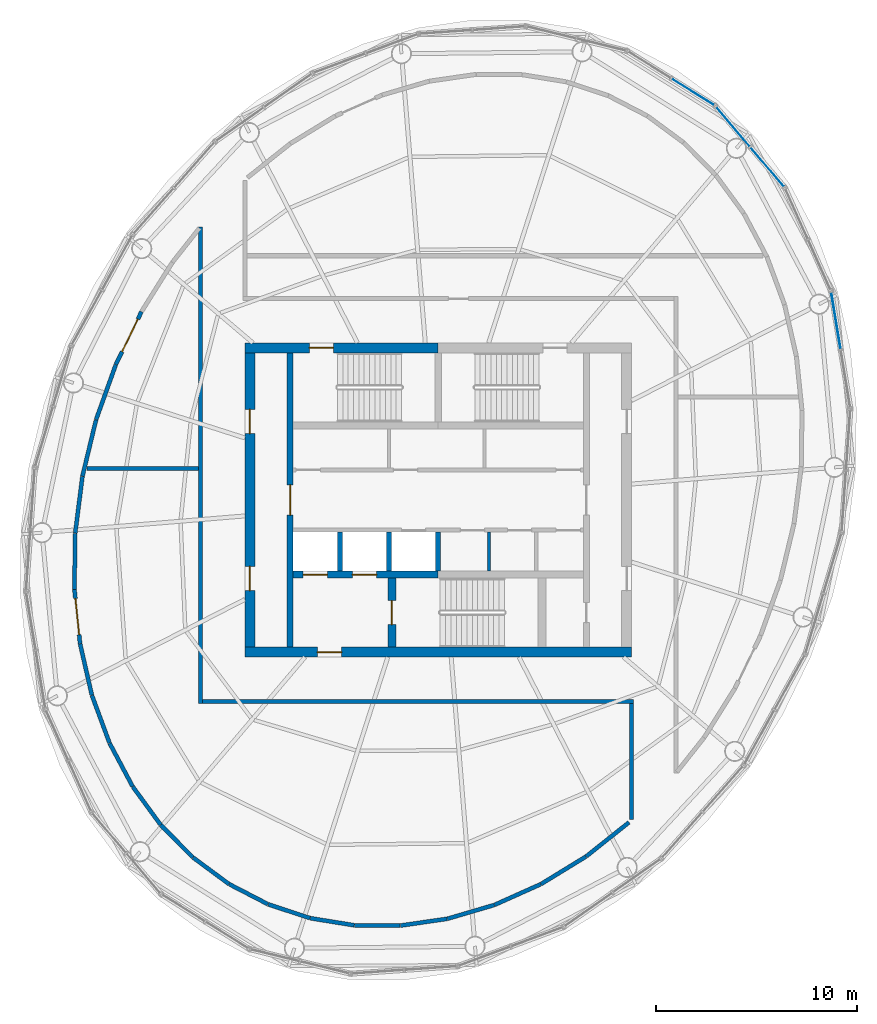
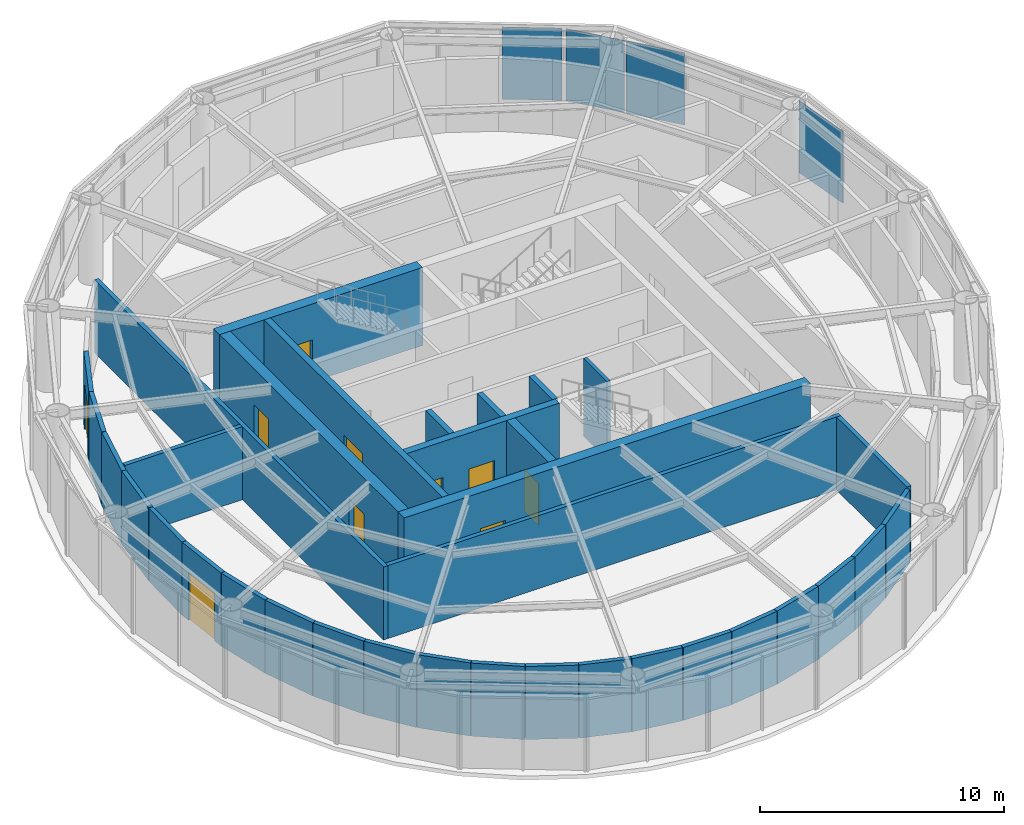
# One storey, part 8 of 11: 35 walls, 10 doors, 4 plates, 10 openings, 3 elements without a shape of their own.
"""IFC4 building model written with IfcOpenShell, lengths in metres."""

from ifc_helpers import new_model, si_unit, direction, frame, frame_2d, origin, origin_2d, place, context, subcontext, project, spatial, rectangle, extrude, material, layer, layer_set, type_object, element, fill, aggregate, save


model = new_model("IFC4")

# Units and contexts
model_context = context("Model", 3, precision=1e-05, world=origin(), true_north=direction((0.0, 1.0)))
body_context = subcontext(model_context, "Body", "Model", "MODEL_VIEW")
ifc_project = project(units=[si_unit("LENGTHUNIT", "METRE"), si_unit("AREAUNIT", "SQUARE_METRE"), si_unit("VOLUMEUNIT", "CUBIC_METRE"), si_unit("PLANEANGLEUNIT", "RADIAN"), si_unit("MASSUNIT", "GRAM", prefix="KILO")], contexts=[model_context])

# Site, building, storey
site_placement = place(None, origin())
site = spatial("IfcSite", under=ifc_project, at=site_placement, CompositionType="ELEMENT")
building_placement = place(site_placement, origin())
building = spatial("IfcBuilding", under=site, at=building_placement, Name="Vermilion Reach Broadcast Tower", CompositionType="ELEMENT")
storey_placement = place(building_placement, frame((0.0, 0.0, 321.300048828125)))
storey = spatial("IfcBuildingStorey", under=building, at=storey_placement, Name="L80 CROWN", CompositionType="ELEMENT", Elevation=321.300048828125)

# Curtain wall, plate
ifc_material_1 = material(Name="Low-e laminated clear glass in aluminium frame", Category="aluminium")
curtain_wall_type = type_object("IfcCurtainWallType", Name="Crown glazing curtain wall", PredefinedType="NOTDEFINED", material=ifc_material_1)
placement = place(storey_placement, origin())
curtain_wall_1 = element("IfcCurtainWall", 1, at=placement, inside=storey, type_object=curtain_wall_type, Name="Crown glazing L80 CROWN 21", PredefinedType="NOTDEFINED")
ifc_material_2 = material(Name="Low-e laminated clear glass", Category="glass")
ifc_layer_1 = layer(ifc_material_2, 0.031982421875)
ifc_layer_set_1 = layer_set([ifc_layer_1], Name="Crown glazing glass panel")
plate_type = type_object("IfcPlateType", Name="Crown glazing glass panel", PredefinedType="CURTAIN_PANEL", material=ifc_layer_set_1)
plate_1_placement = place(storey_placement, frame((13.740234375, 8.896240234375, 0.0), z_axis=(0.0, 0.0, 1.0), x_axis=(-0.162618011697, 0.986689101121, 0.0)))
plate_1 = element("IfcPlate", 2, at=plate_1_placement, type_object=plate_type, Name="Crown glazing glass panel L80 CROWN 21.2.1", PredefinedType="CURTAIN_PANEL", context=body_context, shape_type="SweptSolid", body=[
    extrude(rectangle(XDim=2.837890625, YDim=0.031982421875, at=origin_2d()), origin(), (0.0, 0.0, 1.0), 3.60009765625),
])
aggregate(curtain_wall_1, [plate_1])

# Curtain wall, plates
curtain_wall_2 = element("IfcCurtainWall", 3, at=placement, inside=storey, type_object=curtain_wall_type, Name="Crown glazing L80 CROWN 23", PredefinedType="NOTDEFINED")
plate_2_placement = place(storey_placement, frame((10.330810546875, 16.528564453125, 0.0), z_axis=(0.0, 0.0, 1.0), x_axis=(-0.647871252038, 0.761749854468, 0.0)))
plate_2 = element("IfcPlate", 4, at=plate_2_placement, type_object=plate_type, Name="Crown glazing glass panel L80 CROWN 23.1.1", PredefinedType="CURTAIN_PANEL", context=body_context, shape_type="SweptSolid", body=[
    extrude(rectangle(XDim=2.546142578125, YDim=0.031982421875, at=origin_2d()), origin(), (0.0, 0.0, 1.0), 3.60009765625),
])
plate_3_placement = place(storey_placement, frame((8.62939453125, 18.52880859375, 0.0), z_axis=(0.0, 0.0, 1.0), x_axis=(-0.647871252038, 0.761749854468, 0.0)))
plate_3 = element("IfcPlate", 5, at=plate_3_placement, type_object=plate_type, Name="Crown glazing glass panel L80 CROWN 23.2.1", PredefinedType="CURTAIN_PANEL", context=body_context, shape_type="SweptSolid", body=[
    extrude(rectangle(XDim=2.546142578125, YDim=0.031982421875, at=origin_2d()), origin(), (0.0, 0.0, 1.0), 3.60009765625),
])
aggregate(curtain_wall_2, [plate_2, plate_3])

# Curtain wall, plate
curtain_wall_3 = element("IfcCurtainWall", 6, at=placement, inside=storey, type_object=curtain_wall_type, Name="Crown glazing L80 CROWN 24", PredefinedType="NOTDEFINED")
plate_4_placement = place(storey_placement, frame((6.64013671875, 20.2529296875, 0.0), z_axis=(0.0, 0.0, 1.0), x_axis=(-0.848708437827, 0.52886102859, 0.0)))
plate_4 = element("IfcPlate", 7, at=plate_4_placement, type_object=plate_type, Name="Crown glazing glass panel L80 CROWN 24.1.1", PredefinedType="CURTAIN_PANEL", context=body_context, shape_type="SweptSolid", body=[
    extrude(rectangle(XDim=2.462158203125, YDim=0.031982421875, at=origin_2d()), origin(), (0.0, 0.0, 1.0), 3.60009765625),
])
aggregate(curtain_wall_3, [plate_4])

# Wall, opening, door
ifc_material_3 = material(Name="Concrete C50", Category="concrete")
ifc_layer_2 = layer(ifc_material_3, 0.300048828125)
ifc_layer_set_2 = layer_set([ifc_layer_2], Name="Core inner wall 300 mm Concrete C50")
wall_type_1 = type_object("IfcWallType", Name="Core inner wall 300 mm Concrete C50", PredefinedType="SHEAR", material=ifc_layer_set_2)
wall_1_placement = place(storey_placement, frame((-13.35009765625, 7.300048828125, 0.0), z_axis=(0.0, 0.0, 1.0), x_axis=(0.0, -1.0, 0.0)))
wall_1 = element("IfcWall", 8, at=wall_1_placement, inside=storey, type_object=wall_type_1, Name="L80 CROWN core wall ewW", PredefinedType="SHEAR", context=body_context, shape_type="SweptSolid", body=[
    extrude(rectangle(XDim=14.60009765625, YDim=0.300048828125, at=frame_2d((7.300048828125, 0.0))), origin(), (0.0, 0.0, 1.0), 3.89990234375),
])
opening_1_placement = place(wall_1_placement, frame((6.550048828125, 0.0, 0.0)))
opening_1 = element("IfcOpeningElement", 9, at=opening_1_placement, cuts=wall_1, Name="Opening D04", PredefinedType="OPENING", context=body_context, shape_type="SweptSolid", body=[
    extrude(rectangle(XDim=1.5, YDim=2.10009765625, at=frame_2d((0.75, 1.050048828125))), frame((0.0, 0.159912109375, 0.0), z_axis=(0.0, -1.0, 0.0), x_axis=(1.0, 0.0, 0.0)), (0.0, 0.0, 1.0), 0.320068359375),
])
ifc_material_4 = material(Name="Painted steel fire door", Category="steel")
door_type_1 = type_object("IfcDoorType", Name="Lift lobby door 1500 x 2100", OperationType="DOUBLE_DOOR_SINGLE_SWING", PredefinedType="NOTDEFINED", material=ifc_material_4)
door_1_placement = place(opening_1_placement, origin())
door_1 = element("IfcDoor", 10, at=door_1_placement, inside=storey, type_object=door_type_1, Name="L80 CROWN band door BW", OperationType="DOUBLE_DOOR_SINGLE_SWING", OverallHeight=2.10009765625, OverallWidth=1.5, PredefinedType="NOTDEFINED", context=body_context, shape_type="SweptSolid", body=[
    extrude(rectangle(XDim=1.5, YDim=2.10009765625, at=frame_2d((0.75, 1.050048828125))), frame((0.0, 0.02490234375, 0.0), z_axis=(0.0, -1.0, 0.0), x_axis=(1.0, 0.0, 0.0)), (0.0, 0.0, 1.0), 0.050048828125),
])
fill(opening_1, door_1)

# Wall, openings, doors
ifc_material_5 = material(Name="Concrete C50", Category="concrete")
ifc_layer_3 = layer(ifc_material_5, 0.35009765625)
ifc_layer_set_3 = layer_set([ifc_layer_3], Name="Core inner wall 350 mm Concrete C50")
wall_type_2 = type_object("IfcWallType", Name="Core inner wall 350 mm Concrete C50", PredefinedType="SHEAR", material=ifc_layer_set_3)
wall_2_placement = place(storey_placement, frame((-13.199951171875, -3.705078125, 0.0), z_axis=(0.0, 0.0, 1.0), x_axis=(1.0, 0.0, 0.0)))
wall_2 = element("IfcWall", 11, at=wall_2_placement, inside=storey, type_object=wall_type_2, Name="L80 CROWN core wall wisW", PredefinedType="SHEAR", context=body_context, shape_type="SweptSolid", body=[
    extrude(rectangle(XDim=7.199951171875, YDim=0.35009765625, at=frame_2d((3.60009765625, 0.0))), origin(), (0.0, 0.0, 1.0), 3.89990234375),
])
opening_2_placement = place(wall_2_placement, frame((0.495849609375, 0.0, 0.0)))
opening_2 = element("IfcOpeningElement", 12, at=opening_2_placement, cuts=wall_2, Name="Opening LD1", PredefinedType="OPENING", context=body_context, shape_type="SweptSolid", body=[
    extrude(rectangle(XDim=1.199951171875, YDim=2.10009765625, at=frame_2d((0.60009765625, 1.050048828125))), frame((0.0, 0.18505859375, 0.0), z_axis=(0.0, -1.0, 0.0), x_axis=(1.0, 0.0, 0.0)), (0.0, 0.0, 1.0), 0.3701171875),
])
opening_3_placement = place(wall_2_placement, frame((2.9375, 0.0, 0.0)))
opening_3 = element("IfcOpeningElement", 13, at=opening_3_placement, cuts=wall_2, Name="Opening LD1", PredefinedType="OPENING", context=body_context, shape_type="SweptSolid", body=[
    extrude(rectangle(XDim=1.199951171875, YDim=2.10009765625, at=frame_2d((0.60009765625, 1.050048828125))), frame((0.0, 0.18505859375, 0.0), z_axis=(0.0, -1.0, 0.0), x_axis=(1.0, 0.0, 0.0)), (0.0, 0.0, 1.0), 0.3701171875),
])
ifc_material_6 = material(Name="Stainless steel", Category="steel")
door_type_2 = type_object("IfcDoorType", Name="Landing door 1200 x 2100", OperationType="DOUBLE_DOOR_SLIDING", PredefinedType="NOTDEFINED", material=ifc_material_6)
door_2_placement = place(opening_2_placement, origin())
door_2 = element("IfcDoor", 14, at=door_2_placement, inside=storey, type_object=door_type_2, Name="L80 CROWN landing door FF1", OperationType="DOUBLE_DOOR_SLIDING", OverallHeight=2.10009765625, OverallWidth=1.199951171875, PredefinedType="NOTDEFINED", context=body_context, shape_type="SweptSolid", body=[
    extrude(rectangle(XDim=1.199951171875, YDim=2.10009765625, at=frame_2d((0.60009765625, 1.050048828125))), frame((0.0, 0.02490234375, 0.0), z_axis=(0.0, -1.0, 0.0), x_axis=(1.0, 0.0, 0.0)), (0.0, 0.0, 1.0), 0.050048828125),
])
fill(opening_2, door_2)
door_3_placement = place(opening_3_placement, origin())
door_3 = element("IfcDoor", 15, at=door_3_placement, inside=storey, type_object=door_type_2, Name="L80 CROWN landing door FF2", OperationType="DOUBLE_DOOR_SLIDING", OverallHeight=2.10009765625, OverallWidth=1.199951171875, PredefinedType="NOTDEFINED", context=body_context, shape_type="SweptSolid", body=[
    extrude(rectangle(XDim=1.199951171875, YDim=2.10009765625, at=frame_2d((0.60009765625, 1.050048828125))), frame((0.0, 0.02490234375, 0.0), z_axis=(0.0, -1.0, 0.0), x_axis=(1.0, 0.0, 0.0)), (0.0, 0.0, 1.0), 0.050048828125),
])
fill(opening_3, door_3)

# Wall, opening, door
ifc_material_7 = material(Name="Concrete C50", Category="concrete")
ifc_layer_4 = layer(ifc_material_7, 0.39990234375)
ifc_layer_set_4 = layer_set([ifc_layer_4], Name="Core inner wall 400 mm Concrete C50")
wall_type_3 = type_object("IfcWallType", Name="Core inner wall 400 mm Concrete C50", PredefinedType="SHEAR", material=ifc_layer_set_4)
wall_3_placement = place(storey_placement, frame((-8.300048828125, -3.8798828125, 0.0), z_axis=(0.0, 0.0, 1.0), x_axis=(0.0, -1.0, 0.0)))
wall_3 = element("IfcWall", 16, at=wall_3_placement, inside=storey, type_object=wall_type_3, Name="L80 CROWN core wall wa", PredefinedType="SHEAR", context=body_context, shape_type="SweptSolid", body=[
    extrude(rectangle(XDim=3.420166015625, YDim=0.39990234375, at=frame_2d((1.7099609375, 0.0))), origin(), (0.0, 0.0, 1.0), 3.89990234375),
])
opening_4_placement = place(wall_3_placement, frame((1.110107421875, 0.0, 0.0)))
opening_4 = element("IfcOpeningElement", 17, at=opening_4_placement, cuts=wall_3, Name="Opening D01", PredefinedType="OPENING", context=body_context, shape_type="SweptSolid", body=[
    extrude(rectangle(XDim=1.199951171875, YDim=2.10009765625, at=frame_2d((0.60009765625, 1.050048828125))), frame((0.0, 0.2099609375, 0.0), z_axis=(0.0, -1.0, 0.0), x_axis=(1.0, 0.0, 0.0)), (0.0, 0.0, 1.0), 0.419921875),
])
ifc_material_8 = material(Name="Painted steel fire door", Category="steel")
door_type_3 = type_object("IfcDoorType", Name="Stair door 1200 x 2100", OperationType="DOUBLE_DOOR_SINGLE_SWING", PredefinedType="NOTDEFINED", material=ifc_material_8)
door_4_placement = place(opening_4_placement, origin())
door_4 = element("IfcDoor", 18, at=door_4_placement, inside=storey, type_object=door_type_3, Name="L80 CROWN stair door ST3", OperationType="DOUBLE_DOOR_SINGLE_SWING", OverallHeight=2.10009765625, OverallWidth=1.199951171875, PredefinedType="NOTDEFINED", context=body_context, shape_type="SweptSolid", body=[
    extrude(rectangle(XDim=1.199951171875, YDim=2.10009765625, at=frame_2d((0.60009765625, 1.050048828125))), frame((0.0, 0.02490234375, 0.0), z_axis=(0.0, -1.0, 0.0), x_axis=(1.0, 0.0, 0.0)), (0.0, 0.0, 1.0), 0.050048828125),
])
fill(opening_4, door_4)

ifc_material_9 = material(Name="Concrete C50", Category="concrete")
ifc_layer_5 = layer(ifc_material_9, 0.5)
ifc_layer_set_5 = layer_set([ifc_layer_5], Name="Core outer wall 500 mm Concrete C50")
wall_type_4 = type_object("IfcWallType", Name="Core outer wall 500 mm Concrete C50", PredefinedType="SHEAR", material=ifc_layer_set_5)
wall_4_placement = place(storey_placement, frame((-6.0, 7.550048828125, 0.0), z_axis=(0.0, 0.0, 1.0), x_axis=(-1.0, 0.0, 0.0)))
wall_4 = element("IfcWall", 19, at=wall_4_placement, inside=storey, type_object=wall_type_4, Name="L80 CROWN core wall onW", PredefinedType="SHEAR", context=body_context, shape_type="SweptSolid", body=[
    extrude(rectangle(XDim=9.60009765625, YDim=0.5, at=frame_2d((4.800048828125, 0.0))), origin(), (0.0, 0.0, 1.0), 3.89990234375),
])
opening_5_placement = place(wall_4_placement, frame((5.199951171875, 0.0, 0.0)))
opening_5 = element("IfcOpeningElement", 20, at=opening_5_placement, cuts=wall_4, Name="Opening D01", PredefinedType="OPENING", context=body_context, shape_type="SweptSolid", body=[
    extrude(rectangle(XDim=1.199951171875, YDim=2.10009765625, at=frame_2d((0.60009765625, 1.050048828125))), frame((0.0, 0.260009765625, 0.0), z_axis=(0.0, -1.0, 0.0), x_axis=(1.0, 0.0, 0.0)), (0.0, 0.0, 1.0), 0.52001953125),
])
door_5_placement = place(opening_5_placement, origin())
door_5 = element("IfcDoor", 21, at=door_5_placement, inside=storey, type_object=door_type_3, Name="L80 CROWN stair door ST1", OperationType="DOUBLE_DOOR_SINGLE_SWING", OverallHeight=2.10009765625, OverallWidth=1.199951171875, PredefinedType="NOTDEFINED", context=body_context, shape_type="SweptSolid", body=[
    extrude(rectangle(XDim=1.199951171875, YDim=2.10009765625, at=frame_2d((0.60009765625, 1.050048828125))), frame((0.0, 0.02490234375, 0.0), z_axis=(0.0, -1.0, 0.0), x_axis=(1.0, 0.0, 0.0)), (0.0, 0.0, 1.0), 0.050048828125),
])
fill(opening_5, door_5)

wall_5_placement = place(storey_placement, frame((-15.60009765625, -7.550048828125, 0.0), z_axis=(0.0, 0.0, 1.0), x_axis=(1.0, 0.0, 0.0)))
wall_5 = element("IfcWall", 22, at=wall_5_placement, inside=storey, type_object=wall_type_4, Name="L80 CROWN core wall os", PredefinedType="SHEAR", context=body_context, shape_type="SweptSolid", body=[
    extrude(rectangle(XDim=19.2001953125, YDim=0.5, at=frame_2d((9.60009765625, 0.0))), origin(), (0.0, 0.0, 1.0), 3.89990234375),
])
opening_6_placement = place(wall_5_placement, frame((3.60009765625, 0.0, 0.0)))
opening_6 = element("IfcOpeningElement", 23, at=opening_6_placement, cuts=wall_5, Name="Opening D02", PredefinedType="OPENING", context=body_context, shape_type="SweptSolid", body=[
    extrude(rectangle(XDim=1.199951171875, YDim=2.10009765625, at=frame_2d((0.60009765625, 1.050048828125))), frame((0.0, 0.260009765625, 0.0), z_axis=(0.0, -1.0, 0.0), x_axis=(1.0, 0.0, 0.0)), (0.0, 0.0, 1.0), 0.52001953125),
])
ifc_material_10 = material(Name="Painted steel fire door", Category="steel")
door_type_4 = type_object("IfcDoorType", Name="Firefighting lobby door 1200 x 2100", OperationType="DOUBLE_DOOR_SINGLE_SWING", PredefinedType="NOTDEFINED", material=ifc_material_10)
door_6_placement = place(opening_6_placement, origin())
door_6 = element("IfcDoor", 24, at=door_6_placement, inside=storey, type_object=door_type_4, Name="L80 CROWN ffdoor door FFL", OperationType="DOUBLE_DOOR_SINGLE_SWING", OverallHeight=2.10009765625, OverallWidth=1.199951171875, PredefinedType="NOTDEFINED", context=body_context, shape_type="SweptSolid", body=[
    extrude(rectangle(XDim=1.199951171875, YDim=2.10009765625, at=frame_2d((0.60009765625, 1.050048828125))), frame((0.0, 0.02490234375, 0.0), z_axis=(0.0, -1.0, 0.0), x_axis=(1.0, 0.0, 0.0)), (0.0, 0.0, 1.0), 0.050048828125),
])
fill(opening_6, door_6)

# Wall, openings, doors
wall_6_placement = place(storey_placement, frame((-15.35009765625, 7.300048828125, 0.0), z_axis=(0.0, 0.0, 1.0), x_axis=(0.0, -1.0, 0.0)))
wall_6 = element("IfcWall", 25, at=wall_6_placement, inside=storey, type_object=wall_type_4, Name="L80 CROWN core wall ow", PredefinedType="SHEAR", context=body_context, shape_type="SweptSolid", body=[
    extrude(rectangle(XDim=14.60009765625, YDim=0.5, at=frame_2d((7.300048828125, 0.0))), origin(), (0.0, 0.0, 1.0), 3.89990234375),
])
opening_7_placement = place(wall_6_placement, frame((10.60009765625, 0.0, 0.0)))
opening_7 = element("IfcOpeningElement", 26, at=opening_7_placement, cuts=wall_6, Name="Opening D03", PredefinedType="OPENING", context=body_context, shape_type="SweptSolid", body=[
    extrude(rectangle(XDim=1.199951171875, YDim=2.10009765625, at=frame_2d((0.60009765625, 1.050048828125))), frame((0.0, 0.260009765625, 0.0), z_axis=(0.0, -1.0, 0.0), x_axis=(1.0, 0.0, 0.0)), (0.0, 0.0, 1.0), 0.52001953125),
])
opening_8_placement = place(wall_6_placement, frame((2.800048828125, 0.0, 0.0)))
opening_8 = element("IfcOpeningElement", 27, at=opening_8_placement, cuts=wall_6, Name="Opening D03", PredefinedType="OPENING", context=body_context, shape_type="SweptSolid", body=[
    extrude(rectangle(XDim=1.199951171875, YDim=2.10009765625, at=frame_2d((0.60009765625, 1.050048828125))), frame((0.0, 0.260009765625, 0.0), z_axis=(0.0, -1.0, 0.0), x_axis=(1.0, 0.0, 0.0)), (0.0, 0.0, 1.0), 0.52001953125),
])
ifc_material_11 = material(Name="Painted steel fire door", Category="steel")
door_type_5 = type_object("IfcDoorType", Name="Core lobby door 1200 x 2100", OperationType="DOUBLE_DOOR_SINGLE_SWING", PredefinedType="NOTDEFINED", material=ifc_material_11)
door_7_placement = place(opening_7_placement, origin())
door_7 = element("IfcDoor", 28, at=door_7_placement, inside=storey, type_object=door_type_5, Name="L80 CROWN slot door W0", OperationType="DOUBLE_DOOR_SINGLE_SWING", OverallHeight=2.10009765625, OverallWidth=1.199951171875, PredefinedType="NOTDEFINED", context=body_context, shape_type="SweptSolid", body=[
    extrude(rectangle(XDim=1.199951171875, YDim=2.10009765625, at=frame_2d((0.60009765625, 1.050048828125))), frame((0.0, 0.02490234375, 0.0), z_axis=(0.0, -1.0, 0.0), x_axis=(1.0, 0.0, 0.0)), (0.0, 0.0, 1.0), 0.050048828125),
])
fill(opening_7, door_7)
door_8_placement = place(opening_8_placement, origin())
door_8 = element("IfcDoor", 29, at=door_8_placement, inside=storey, type_object=door_type_5, Name="L80 CROWN slot door W1", OperationType="DOUBLE_DOOR_SINGLE_SWING", OverallHeight=2.10009765625, OverallWidth=1.199951171875, PredefinedType="NOTDEFINED", context=body_context, shape_type="SweptSolid", body=[
    extrude(rectangle(XDim=1.199951171875, YDim=2.10009765625, at=frame_2d((0.60009765625, 1.050048828125))), frame((0.0, 0.02490234375, 0.0), z_axis=(0.0, -1.0, 0.0), x_axis=(1.0, 0.0, 0.0)), (0.0, 0.0, 1.0), 0.050048828125),
])
fill(opening_8, door_8)

# Walls
ifc_material_12 = material(Name="Masonry block", Category="masonry")
ifc_layer_6 = layer(ifc_material_12, 0.14990234375)
ifc_layer_set_6 = layer_set([ifc_layer_6], Name="Core partition wall 150 mm Masonry block")
wall_type_5 = type_object("IfcWallType", Name="Core partition wall 150 mm Masonry block", PredefinedType="PARTITIONING", material=ifc_layer_set_6)
wall_7_placement = place(storey_placement, frame((-3.469482421875, -1.60009765625, 0.0), z_axis=(0.0, 0.0, 1.0), x_axis=(0.0, -1.0, 0.0)))
element("IfcWall", 30, at=wall_7_placement, inside=storey, type_object=wall_type_5, Name="L80 CROWN core wall prS2531", PredefinedType="PARTITIONING", context=body_context, shape_type="SweptSolid", body=[
    extrude(rectangle(XDim=1.929931640625, YDim=0.14990234375, at=frame_2d((0.96484375, 0.0))), origin(), (0.0, 0.0, 1.0), 3.89990234375),
])
ifc_material_13 = material(Name="Concrete C50", Category="concrete")
ifc_layer_7 = layer(ifc_material_13, 0.25)
ifc_layer_set_7 = layer_set([ifc_layer_7], Name="Core shaft wall 250 mm Concrete C50")
wall_type_6 = type_object("IfcWallType", Name="Core shaft wall 250 mm Concrete C50", PredefinedType="SHEAR", material=ifc_layer_set_7)
for number, where, z_axis, x_axis, name in (
    (31, (-10.88330078125, -1.60009765625, 0.0), (0.0, 0.0, 1.0), (0.0, -1.0, 0.0), "L80 CROWN core wall psS0"),
    (32, (-8.441650390625, -1.60009765625, 0.0), (0.0, 0.0, 1.0), (0.0, -1.0, 0.0), "L80 CROWN core wall psS1"),
    (33, (-6.0, -1.60009765625, 0.0), (0.0, 0.0, 1.0), (0.0, -1.0, 0.0), "L80 CROWN core wall psS2"),
):
    element("IfcWall", number, at=place(storey_placement, frame(where, z_axis=z_axis, x_axis=x_axis)), inside=storey, type_object=wall_type_6, Name=name, PredefinedType="SHEAR", context=body_context, shape_type="SweptSolid", body=[
        extrude(rectangle(XDim=1.929931640625, YDim=0.25, at=frame_2d((0.96484375, 0.0))), origin(), (0.0, 0.0, 1.0), 3.89990234375),
    ])
ifc_material_14 = material(Name="Gypsum board shaft wall")
ifc_layer_8 = layer(ifc_material_14, 0.199951171875)
ifc_layer_set_8 = layer_set([ifc_layer_8], Name="Plant room wall 200")
wall_type_7 = type_object("IfcWallType", Name="Plant room wall 200", PredefinedType="PARTITIONING", material=ifc_layer_set_8)
wall_8_placement = place(storey_placement, frame((-17.800048828125, -10.10009765625, 0.0), z_axis=(0.0, 0.0, 1.0), x_axis=(0.0, 1.0, 0.0)))
element("IfcWall", 34, at=wall_8_placement, inside=storey, type_object=wall_type_7, Name="sp.wall.L80 CROWN.002", PredefinedType="PARTITIONING", context=body_context, shape_type="SweptSolid", body=[
    extrude(rectangle(XDim=23.65771484375, YDim=0.199951171875, at=frame_2d((11.828857421875, 0.0))), origin(), (0.0, 0.0, 1.0), 3.64990234375),
])
wall_9_placement = place(storey_placement, frame((-17.699951171875, -10.0, 0.0), z_axis=(0.0, 0.0, 1.0), x_axis=(1.0, 0.0, 0.0)))
element("IfcWall", 35, at=wall_9_placement, inside=storey, type_object=wall_type_7, Name="sp.wall.L80 CROWN.003", PredefinedType="PARTITIONING", context=body_context, shape_type="SweptSolid", body=[
    extrude(rectangle(XDim=21.400146484375, YDim=0.199951171875, at=frame_2d((10.7001953125, 0.0))), origin(), (0.0, 0.0, 1.0), 3.64990234375),
])
wall_10_placement = place(storey_placement, frame((3.60009765625, -15.867431640625, 0.0), z_axis=(0.0, 0.0, 1.0), x_axis=(0.0, 1.0, 0.0)))
element("IfcWall", 36, at=wall_10_placement, inside=storey, type_object=wall_type_7, Name="sp.wall.L80 CROWN.005", PredefinedType="PARTITIONING", context=body_context, shape_type="SweptSolid", body=[
    extrude(rectangle(XDim=5.767333984375, YDim=0.199951171875, at=frame_2d((2.8837890625, 0.0))), origin(), (0.0, 0.0, 1.0), 3.64990234375),
])
wall_11_placement = place(storey_placement, frame((-23.440185546875, 1.5576171875, 0.0), z_axis=(0.0, 0.0, 1.0), x_axis=(1.0, 0.0, 0.0)))
element("IfcWall", 37, at=wall_11_placement, inside=storey, type_object=wall_type_7, Name="sp.wall.L80 CROWN.031", PredefinedType="PARTITIONING", context=body_context, shape_type="SweptSolid", body=[
    extrude(rectangle(XDim=5.540283203125, YDim=0.199951171875, at=frame_2d((2.77001953125, 0.0))), origin(), (0.0, 0.0, 1.0), 3.64990234375),
])
wall_12_placement = place(storey_placement, frame((-22.981689453125, 3.987548828125, 0.0), z_axis=(0.0, 0.0, 1.0), x_axis=(0.337478197562, 0.941333344873, 0.0)))
element("IfcWall", 38, at=wall_12_placement, inside=storey, type_object=wall_type_7, Name="sp.wall.L80 CROWN.032", PredefinedType="PARTITIONING", context=body_context, shape_type="SweptSolid", body=[
    extrude(rectangle(XDim=2.89794921875, YDim=0.199951171875, at=frame_2d((1.448974609375, 0.0))), origin(), (0.0, 0.0, 1.0), 3.64990234375),
])

# Wall, opening, door
wall_13_placement = place(storey_placement, frame((-20.73046875, 9.34326171875, 0.0), z_axis=(0.0, 0.0, 1.0), x_axis=(-0.436405284506, -0.89975020292, 0.0)))
wall_13 = element("IfcWall", 39, at=wall_13_placement, inside=storey, type_object=wall_type_7, Name="sp.wall.L80 CROWN.033", PredefinedType="PARTITIONING", context=body_context, shape_type="SweptSolid", body=[
    extrude(rectangle(XDim=2.9091796875, YDim=0.199951171875, at=frame_2d((1.45458984375, 0.0))), origin(), (0.0, 0.0, 1.0), 3.64990234375),
])
opening_9_placement = place(wall_13_placement, frame((0.403076171875, 0.0, 0.0)))
opening_9 = element("IfcOpeningElement", 40, at=opening_9_placement, cuts=wall_13, Name="Opening D53", PredefinedType="OPENING", context=body_context, shape_type="SweptSolid", body=[
    extrude(rectangle(XDim=1.800048828125, YDim=2.39990234375, at=frame_2d((0.89990234375, 1.199951171875))), frame((0.0, 0.10986328125, 0.0), z_axis=(0.0, -1.0, 0.0), x_axis=(1.0, 0.0, 0.0)), (0.0, 0.0, 1.0), 0.219970703125),
])
ifc_material_15 = material(Name="Timber and steel door set", Category="steel")
door_type_6 = type_object("IfcDoorType", Name="Plant double door 1800x2400", OperationType="NOTDEFINED", PredefinedType="DOOR", material=ifc_material_15)
door_9_placement = place(opening_9_placement, origin())
door_9 = element("IfcDoor", 41, at=door_9_placement, inside=storey, type_object=door_type_6, Name="sp.door.L80 CROWN.003", OperationType="DOUBLE_DOOR_SINGLE_SWING", OverallHeight=2.39990234375, OverallWidth=1.800048828125, PredefinedType="DOOR", context=body_context, shape_type="SweptSolid", body=[
    extrude(rectangle(XDim=1.800048828125, YDim=2.39990234375, at=frame_2d((0.89990234375, 1.199951171875))), frame((0.0, 0.02490234375, 0.0), z_axis=(0.0, -1.0, 0.0), x_axis=(1.0, 0.0, 0.0)), (0.0, 0.0, 1.0), 0.050048828125),
])
fill(opening_9, door_9)

# Walls
wall_14_placement = place(storey_placement, frame((-23.657958984375, 1.1796875, 0.0), z_axis=(0.0, 0.0, 1.0), x_axis=(0.234120678443, 0.972207543648, 0.0)))
element("IfcWall", 42, at=wall_14_placement, inside=storey, type_object=wall_type_7, Name="sp.wall.L80 CROWN.036", PredefinedType="PARTITIONING", context=body_context, shape_type="SweptSolid", body=[
    extrude(rectangle(XDim=2.877197265625, YDim=0.199951171875, at=frame_2d((1.4384765625, 0.0))), origin(), (0.0, 0.0, 1.0), 3.64990234375),
])
wall_15_placement = place(storey_placement, frame((-0.894287109375, -19.061279296875, 0.0), z_axis=(0.0, 0.0, 1.0), x_axis=(0.852667029926, 0.522454721557, 0.0)))
element("IfcWall", 43, at=wall_15_placement, inside=storey, type_object=wall_type_7, Name="sp.wall.L80 CROWN.037", PredefinedType="PARTITIONING", context=body_context, shape_type="SweptSolid", body=[
    extrude(rectangle(XDim=2.613525390625, YDim=0.199951171875, at=frame_2d((1.306640625, 0.0))), origin(), (0.0, 0.0, 1.0), 3.64990234375),
])
wall_16_placement = place(storey_placement, frame((-3.2060546875, -20.097412109375, 0.0), z_axis=(0.0, 0.0, 1.0), x_axis=(0.912552955942, 0.408958558538, 0.0)))
element("IfcWall", 44, at=wall_16_placement, inside=storey, type_object=wall_type_7, Name="sp.wall.L80 CROWN.038", PredefinedType="PARTITIONING", context=body_context, shape_type="SweptSolid", body=[
    extrude(rectangle(XDim=2.5205078125, YDim=0.199951171875, at=frame_2d((1.26025390625, 0.0))), origin(), (0.0, 0.0, 1.0), 3.64990234375),
])
wall_17_placement = place(storey_placement, frame((-5.546630859375, -20.7861328125, 0.0), z_axis=(0.0, 0.0, 1.0), x_axis=(0.95934146389, 0.28224803925, 0.0)))
element("IfcWall", 45, at=wall_17_placement, inside=storey, type_object=wall_type_7, Name="sp.wall.L80 CROWN.039", PredefinedType="PARTITIONING", context=body_context, shape_type="SweptSolid", body=[
    extrude(rectangle(XDim=2.42626953125, YDim=0.199951171875, at=frame_2d((1.213134765625, 0.0))), origin(), (0.0, 0.0, 1.0), 3.64990234375),
])
wall_18_placement = place(storey_placement, frame((-7.875, -21.123291015625, 0.0), z_axis=(0.0, 0.0, 1.0), x_axis=(0.989671979467, 0.143350525141, 0.0)))
element("IfcWall", 46, at=wall_18_placement, inside=storey, type_object=wall_type_7, Name="sp.wall.L80 CROWN.040", PredefinedType="PARTITIONING", context=body_context, shape_type="SweptSolid", body=[
    extrude(rectangle(XDim=2.33837890625, YDim=0.199951171875, at=frame_2d((1.169189453125, 0.0))), origin(), (0.0, 0.0, 1.0), 3.64990234375),
])
wall_19_placement = place(storey_placement, frame((-10.15380859375, -21.111328125, 0.0), z_axis=(0.0, 0.0, 1.0), x_axis=(0.999986603133, -0.005176248997, 0.0)))
element("IfcWall", 47, at=wall_19_placement, inside=storey, type_object=wall_type_7, Name="sp.wall.L80 CROWN.041", PredefinedType="PARTITIONING", context=body_context, shape_type="SweptSolid", body=[
    extrude(rectangle(XDim=2.263916015625, YDim=0.199951171875, at=frame_2d((1.1318359375, 0.0))), origin(), (0.0, 0.0, 1.0), 3.64990234375),
])
wall_20_placement = place(storey_placement, frame((-12.350341796875, -20.75732421875, 0.0), z_axis=(0.0, 0.0, 1.0), x_axis=(0.987257926423, -0.159128208423, 0.0)))
element("IfcWall", 48, at=wall_20_placement, inside=storey, type_object=wall_type_7, Name="sp.wall.L80 CROWN.042", PredefinedType="PARTITIONING", context=body_context, shape_type="SweptSolid", body=[
    extrude(rectangle(XDim=2.209228515625, YDim=0.199951171875, at=frame_2d((1.1044921875, 0.0))), origin(), (0.0, 0.0, 1.0), 3.64990234375),
])
wall_21_placement = place(storey_placement, frame((-14.436767578125, -20.0703125, 0.0), z_axis=(0.0, 0.0, 1.0), x_axis=(0.949852302688, -0.312698901627, 0.0)))
element("IfcWall", 49, at=wall_21_placement, inside=storey, type_object=wall_type_7, Name="sp.wall.L80 CROWN.043", PredefinedType="PARTITIONING", context=body_context, shape_type="SweptSolid", body=[
    extrude(rectangle(XDim=2.1806640625, YDim=0.199951171875, at=frame_2d((1.09033203125, 0.0))), origin(), (0.0, 0.0, 1.0), 3.64990234375),
])
wall_22_placement = place(storey_placement, frame((-16.373291015625, -19.067626953125, 0.0), z_axis=(0.0, 0.0, 1.0), x_axis=(0.888068415533, -0.45971131086, 0.0)))
element("IfcWall", 50, at=wall_22_placement, inside=storey, type_object=wall_type_7, Name="sp.wall.L80 CROWN.044", PredefinedType="PARTITIONING", context=body_context, shape_type="SweptSolid", body=[
    extrude(rectangle(XDim=2.16455078125, YDim=0.199951171875, at=frame_2d((1.082275390625, 0.0))), origin(), (0.0, 0.0, 1.0), 3.64990234375),
])
wall_23_placement = place(storey_placement, frame((-18.164794921875, -17.747802734375, 0.0), z_axis=(0.0, 0.0, 1.0), x_axis=(0.80443326696, -0.594043027909, 0.0)))
element("IfcWall", 51, at=wall_23_placement, inside=storey, type_object=wall_type_7, Name="sp.wall.L80 CROWN.045", PredefinedType="PARTITIONING", context=body_context, shape_type="SweptSolid", body=[
    extrude(rectangle(XDim=2.20947265625, YDim=0.199951171875, at=frame_2d((1.104736328125, 0.0))), origin(), (0.0, 0.0, 1.0), 3.64990234375),
])
wall_24_placement = place(storey_placement, frame((-19.76953125, -16.12939453125, 0.0), z_axis=(0.0, 0.0, 1.0), x_axis=(0.703376280453, -0.710817703843, 0.0)))
element("IfcWall", 52, at=wall_24_placement, inside=storey, type_object=wall_type_7, Name="sp.wall.L80 CROWN.046", PredefinedType="PARTITIONING", context=body_context, shape_type="SweptSolid", body=[
    extrude(rectangle(XDim=2.263671875, YDim=0.199951171875, at=frame_2d((1.1318359375, 0.0))), origin(), (0.0, 0.0, 1.0), 3.64990234375),
])
wall_25_placement = place(storey_placement, frame((-21.159912109375, -14.230712890625, 0.0), z_axis=(0.0, 0.0, 1.0), x_axis=(0.590082027637, -0.807343297897, 0.0)))
element("IfcWall", 53, at=wall_25_placement, inside=storey, type_object=wall_type_7, Name="sp.wall.L80 CROWN.047", PredefinedType="PARTITIONING", context=body_context, shape_type="SweptSolid", body=[
    extrude(rectangle(XDim=2.33837890625, YDim=0.199951171875, at=frame_2d((1.169189453125, 0.0))), origin(), (0.0, 0.0, 1.0), 3.64990234375),
])
wall_26_placement = place(storey_placement, frame((-22.3076171875, -12.0771484375, 0.0), z_axis=(0.0, 0.0, 1.0), x_axis=(0.469611304199, -0.882873276846, 0.0)))
element("IfcWall", 54, at=wall_26_placement, inside=storey, type_object=wall_type_7, Name="sp.wall.L80 CROWN.048", PredefinedType="PARTITIONING", context=body_context, shape_type="SweptSolid", body=[
    extrude(rectangle(XDim=2.42626953125, YDim=0.199951171875, at=frame_2d((1.213134765625, 0.0))), origin(), (0.0, 0.0, 1.0), 3.64990234375),
])
wall_27_placement = place(storey_placement, frame((-23.1865234375, -9.70068359375, 0.0), z_axis=(0.0, 0.0, 1.0), x_axis=(0.34620358582, -0.938159409251, 0.0)))
element("IfcWall", 55, at=wall_27_placement, inside=storey, type_object=wall_type_7, Name="sp.wall.L80 CROWN.049", PredefinedType="PARTITIONING", context=body_context, shape_type="SweptSolid", body=[
    extrude(rectangle(XDim=2.520263671875, YDim=0.199951171875, at=frame_2d((1.26025390625, 0.0))), origin(), (0.0, 0.0, 1.0), 3.64990234375),
])
wall_28_placement = place(storey_placement, frame((-23.774658203125, -7.140869140625, 0.0), z_axis=(0.0, 0.0, 1.0), x_axis=(0.223324390074, -0.974744180182, 0.0)))
element("IfcWall", 56, at=wall_28_placement, inside=storey, type_object=wall_type_7, Name="sp.wall.L80 CROWN.050", PredefinedType="PARTITIONING", context=body_context, shape_type="SweptSolid", body=[
    extrude(rectangle(XDim=2.61376953125, YDim=0.199951171875, at=frame_2d((1.306884765625, 0.0))), origin(), (0.0, 0.0, 1.0), 3.64990234375),
])

# Wall, opening, door
wall_29_placement = place(storey_placement, frame((-23.77734375, -7.12890625, 0.0), z_axis=(0.0, 0.0, 1.0), x_axis=(-0.102877560919, 0.994694027055, 0.0)))
wall_29 = element("IfcWall", 57, at=wall_29_placement, inside=storey, type_object=wall_type_7, Name="sp.wall.L80 CROWN.051", PredefinedType="PARTITIONING", context=body_context, shape_type="SweptSolid", body=[
    extrude(rectangle(XDim=2.70068359375, YDim=0.199951171875, at=frame_2d((1.350341796875, 0.0))), origin(), (0.0, 0.0, 1.0), 3.64990234375),
])
opening_10_placement = place(wall_29_placement, frame((0.4501953125, 0.0, 0.0)))
opening_10 = element("IfcOpeningElement", 58, at=opening_10_placement, cuts=wall_29, Name="Opening D53", PredefinedType="OPENING", context=body_context, shape_type="SweptSolid", body=[
    extrude(rectangle(XDim=1.800048828125, YDim=2.39990234375, at=frame_2d((0.89990234375, 1.199951171875))), frame((0.0, 0.10986328125, 0.0), z_axis=(0.0, -1.0, 0.0), x_axis=(1.0, 0.0, 0.0)), (0.0, 0.0, 1.0), 0.219970703125),
])
door_10_placement = place(opening_10_placement, origin())
door_10 = element("IfcDoor", 59, at=door_10_placement, inside=storey, type_object=door_type_6, Name="sp.door.L80 CROWN.004", OperationType="DOUBLE_DOOR_SINGLE_SWING", OverallHeight=2.39990234375, OverallWidth=1.800048828125, PredefinedType="DOOR", context=body_context, shape_type="SweptSolid", body=[
    extrude(rectangle(XDim=1.800048828125, YDim=2.39990234375, at=frame_2d((0.89990234375, 1.199951171875))), frame((0.0, 0.02490234375, 0.0), z_axis=(0.0, -1.0, 0.0), x_axis=(1.0, 0.0, 0.0)), (0.0, 0.0, 1.0), 0.050048828125),
])
fill(opening_10, door_10)

# Walls
wall_30_placement = place(storey_placement, frame((-24.056396484375, -4.430908203125, 0.0), z_axis=(0.0, 0.0, 1.0), x_axis=(0.013897320686, 0.999903427576, 0.0)))
element("IfcWall", 60, at=wall_30_placement, inside=storey, type_object=wall_type_7, Name="sp.wall.L80 CROWN.052", PredefinedType="PARTITIONING", context=body_context, shape_type="SweptSolid", body=[
    extrude(rectangle(XDim=2.775634765625, YDim=0.199951171875, at=frame_2d((1.3876953125, 0.0))), origin(), (0.0, 0.0, 1.0), 3.64990234375),
])
wall_31_placement = place(storey_placement, frame((-24.017578125, -1.64404296875, 0.0), z_axis=(0.0, 0.0, 1.0), x_axis=(0.126302032537, 0.991991832919, 0.0)))
element("IfcWall", 61, at=wall_31_placement, inside=storey, type_object=wall_type_7, Name="sp.wall.L80 CROWN.053", PredefinedType="PARTITIONING", context=body_context, shape_type="SweptSolid", body=[
    extrude(rectangle(XDim=2.835693359375, YDim=0.199951171875, at=frame_2d((1.41796875, 0.0))), origin(), (0.0, 0.0, 1.0), 3.64990234375),
])
wall_32_placement = place(storey_placement, frame((1.3447265625, -17.689208984375, 0.0), z_axis=(0.0, 0.0, 1.0), x_axis=(0.782665833332, 0.62244212047, 0.0)))
element("IfcWall", 62, at=wall_32_placement, inside=storey, type_object=wall_type_7, Name="sp.wall.L80 CROWN.054", PredefinedType="PARTITIONING", context=body_context, shape_type="SweptSolid", body=[
    extrude(rectangle(XDim=2.712158203125, YDim=0.199951171875, at=frame_2d((1.35595703125, 0.0))), origin(), (0.0, 0.0, 1.0), 3.64990234375),
])

save(model, "model.ifc")
